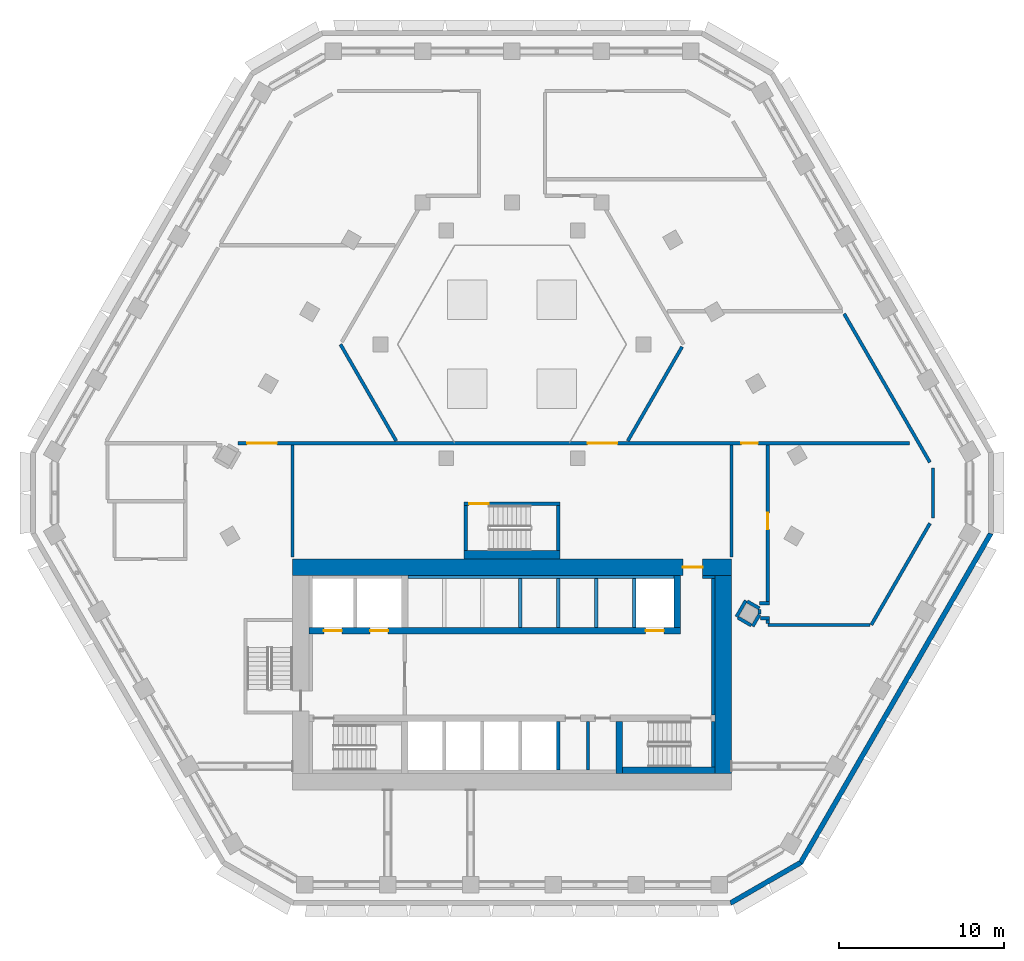
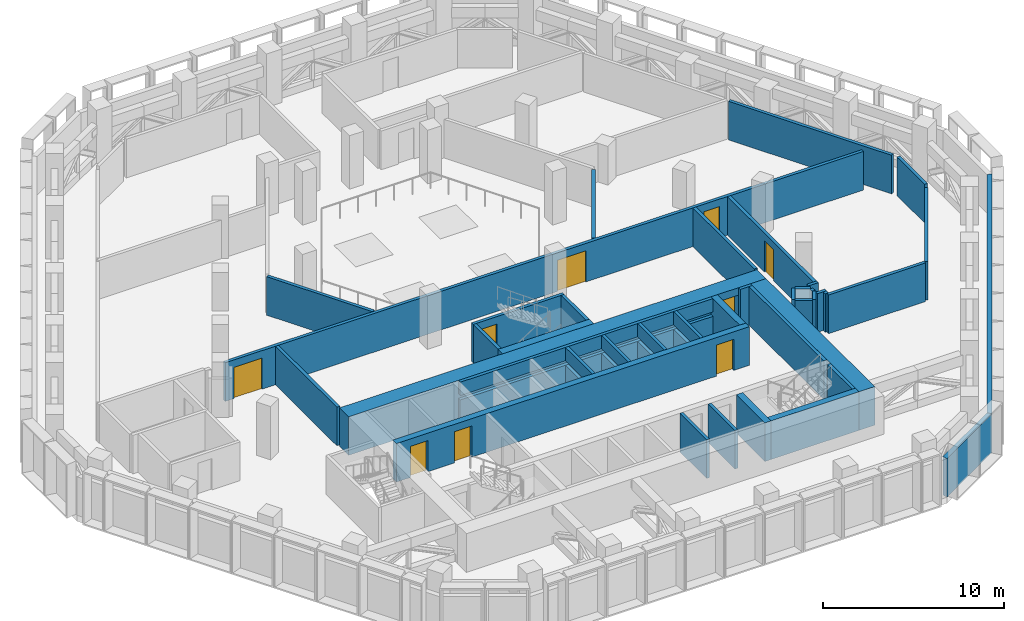
# One storey, part 13 of 23: 45 walls, 9 doors, 9 openings.
"""IFC4 building model written with IfcOpenShell, lengths in metres."""

from ifc_helpers import new_model, si_unit, direction, frame, frame_2d, origin, place, context, subcontext, project, spatial, polyline, rectangle, outline, extrude, material, layer, layer_set, type_object, element, fill, save


model = new_model("IFC4")

# Units and contexts
model_context = context("Model", 3, precision=1e-05, world=origin(), true_north=direction((0.0, 1.0)))
body_context = subcontext(model_context, "Body", "Model", "MODEL_VIEW")
ifc_project = project(units=[si_unit("LENGTHUNIT", "METRE"), si_unit("AREAUNIT", "SQUARE_METRE"), si_unit("VOLUMEUNIT", "CUBIC_METRE"), si_unit("PLANEANGLEUNIT", "RADIAN"), si_unit("MASSUNIT", "GRAM", prefix="KILO")], contexts=[model_context])

# Site, building, storey
site_placement = place(None, origin())
site = spatial("IfcSite", under=ifc_project, at=site_placement, CompositionType="ELEMENT")
building_placement = place(site_placement, origin())
building = spatial("IfcBuilding", under=site, at=building_placement, Name="Beryl Residences", CompositionType="ELEMENT")
storey_placement = place(building_placement, frame((0.0, 0.0, 108.0)))
storey = spatial("IfcBuildingStorey", under=building, at=storey_placement, Name="L33", CompositionType="ELEMENT", Elevation=108.0)

# Walls
ifc_material_1 = material(Name="Composite metal panel with mineral wool insulation")
ifc_layer_1 = layer(ifc_material_1, 0.300048828125)
ifc_layer_set_1 = layer_set([ifc_layer_1], Name="ES1 pale metal composite panel wall 300 mm")
wall_type_1 = type_object("IfcWallType", Name="ES1 pale metal composite panel wall 300 mm", PredefinedType="SOLIDWALL", material=ifc_layer_set_1)
wall_1_placement = place(storey_placement, frame((13.2041015625, -25.8701171875, 0.0), z_axis=(0.0, 0.0, 1.0), x_axis=(0.866010750942, 0.50002537861, 0.0)))
element("IfcWall", 1, at=wall_1_placement, inside=storey, type_object=wall_type_1, Name="ES1 external wall L33 S-SE", PredefinedType="SOLIDWALL", context=body_context, shape_type="SweptSolid", body=[
    extrude(outline(polyline([(0.0, -0.14990234375), (4.999755859375, -0.14990234375), (4.91943359375, 0.14990234375), (0.080322265625, 0.14990234375), (0.0, -0.14990234375)])), origin(), (0.0, 0.0, 1.0), 2.60009765625),
])
wall_2_placement = place(storey_placement, frame((17.47900390625, -23.425048828125, 0.0), z_axis=(0.0, 0.0, 1.0), x_axis=(0.500035407905, 0.866004960056, 0.0)))
element("IfcWall", 2, at=wall_2_placement, inside=storey, type_object=wall_type_1, Name="ES1 external wall L33 SE", PredefinedType="SOLIDWALL", context=body_context, shape_type="SweptSolid", body=[
    extrude(outline(polyline([(0.0, -0.14990234375), (23.094482421875, -0.14990234375), (23.01416015625, 0.14990234375), (0.080322265625, 0.14990234375), (0.0, -0.14990234375)])), origin(), (0.0, 0.0, 1.0), 2.60009765625),
])
ifc_material_2 = material(Name="Concrete masonry", Category="masonry")
ifc_layer_2 = layer(ifc_material_2, 0.199951171875)
ifc_layer_set_2 = layer_set([ifc_layer_2], Name="PT13 lobby wall 200 mm")
wall_type_2 = type_object("IfcWallType", Name="PT13 lobby wall 200 mm", PredefinedType="PARTITIONING", material=ifc_layer_set_2)
wall_3_placement = place(storey_placement, frame((11.550048828125, -6.10009765625, 0.0), z_axis=(0.0, 0.0, 1.0), x_axis=(1.0, 0.0, 0.0)))
element("IfcWall", 3, at=wall_3_placement, inside=storey, type_object=wall_type_2, Name="Lobby wall 26", PredefinedType="PARTITIONING", context=body_context, shape_type="SweptSolid", body=[
    extrude(rectangle(XDim=0.75, YDim=0.199951171875, at=frame_2d((0.375, 0.0))), origin(), (0.0, 0.0, 1.0), 2.60009765625),
])
wall_4_placement = place(storey_placement, frame((12.199951171875, -14.449951171875, 0.0), z_axis=(0.0, 0.0, 1.0), x_axis=(0.0, 1.0, 0.0)))
element("IfcWall", 4, at=wall_4_placement, inside=storey, type_object=wall_type_2, Name="Lobby wall 28", PredefinedType="PARTITIONING", context=body_context, shape_type="SweptSolid", body=[
    extrude(rectangle(XDim=8.25, YDim=0.199951171875, at=frame_2d((4.125, 0.0))), origin(), (0.0, 0.0, 1.0), 2.60009765625),
])
ifc_material_3 = material(Name="Double stud gypsum board wall")
ifc_layer_3 = layer(ifc_material_3, 0.199951171875)
ifc_layer_set_3 = layer_set([ifc_layer_3], Name="PT4 corridor wall 200 mm double stud")
wall_type_3 = type_object("IfcWallType", Name="PT4 corridor wall 200 mm double stud", PredefinedType="PARTITIONING", material=ifc_layer_set_3)
for number, where, z_axis, x_axis, name in (
    (5, (-13.300048828125, -4.8798828125, 0.0), (0.0, 0.0, 1.0), (0.0, 1.0, 0.0), "Wall PT4 L33 002"),
    (6, (13.300048828125, -4.8798828125, 0.0), (0.0, 0.0, 1.0), (0.0, 1.0, 0.0), "Wall PT4 L33 003"),
):
    element("IfcWall", number, at=place(storey_placement, frame(where, z_axis=z_axis, x_axis=x_axis)), inside=storey, type_object=wall_type_3, Name=name, PredefinedType="PARTITIONING", context=body_context, shape_type="SweptSolid", body=[
        extrude(rectangle(XDim=6.77978515625, YDim=0.199951171875, at=frame_2d((3.389892578125, 0.0))), origin(), (0.0, 0.0, 1.0), 2.60009765625),
    ])

# Wall, opening, door
ifc_material_4 = material(Name="Concrete C40/50", Category="concrete")
ifc_layer_4 = layer(ifc_material_4, 0.199951171875)
ifc_layer_set_4 = layer_set([ifc_layer_4], Name="PT5 stair enclosure wall 200 mm reinforced concrete C40/50")
wall_type_4 = type_object("IfcWallType", Name="PT5 stair enclosure wall 200 mm reinforced concrete C40/50", PredefinedType="SOLIDWALL", material=ifc_layer_set_4)
wall_5_placement = place(storey_placement, frame((-2.89990234375, -1.64990234375, 0.0), z_axis=(0.0, 0.0, 1.0), x_axis=(1.0, 0.0, 0.0)))
wall_5 = element("IfcWall", 7, at=wall_5_placement, inside=storey, type_object=wall_type_4, Name="Wall PT5 L33 001", PredefinedType="SOLIDWALL", context=body_context, shape_type="SweptSolid", body=[
    extrude(rectangle(XDim=5.7998046875, YDim=0.199951171875, at=frame_2d((2.89990234375, 0.0))), origin(), (0.0, 0.0, 1.0), 2.60009765625),
])
opening_1_placement = place(wall_5_placement, frame((0.300048828125, 0.0, 0.0)))
opening_1 = element("IfcOpeningElement", 8, at=opening_1_placement, cuts=wall_5, Name="Opening DS04", PredefinedType="OPENING", context=body_context, shape_type="SweptSolid", body=[
    extrude(rectangle(XDim=1.199951171875, YDim=2.10009765625, at=frame_2d((0.60009765625, 1.050048828125))), frame((0.0, 0.10986328125, 0.0), z_axis=(0.0, -1.0, 0.0), x_axis=(1.0, 0.0, 0.0)), (0.0, 0.0, 1.0), 0.219970703125),
])
ifc_material_5 = material(Name="Steel door leaf in steel frame", Category="steel")
door_type_1 = type_object("IfcDoorType", Name="D4 stair door 1200 x 2100 mm", OperationType="SINGLE_SWING_LEFT", PredefinedType="DOOR", material=ifc_material_5)
door_1_placement = place(opening_1_placement, origin())
door_1 = element("IfcDoor", 9, at=door_1_placement, inside=storey, type_object=door_type_1, Name="Door DS04 L33 001", OperationType="SINGLE_SWING_LEFT", OverallHeight=2.10009765625, OverallWidth=1.199951171875, PredefinedType="DOOR", context=body_context, shape_type="SweptSolid", body=[
    extrude(rectangle(XDim=1.199951171875, YDim=2.10009765625, at=frame_2d((0.60009765625, 1.050048828125))), frame((0.0, 0.02490234375, 0.0), z_axis=(0.0, -1.0, 0.0), x_axis=(1.0, 0.0, 0.0)), (0.0, 0.0, 1.0), 0.050048828125),
])
fill(opening_1, door_1)

# Walls
for number, where, z_axis, x_axis, name in (
    (10, (-2.800048828125, -4.5, 0.0), (0.0, 0.0, 1.0), (0.0, 1.0, 0.0), "Wall PT5 L33 002"),
    (11, (2.800048828125, -4.5, 0.0), (0.0, 0.0, 1.0), (0.0, 1.0, 0.0), "Wall PT5 L33 003"),
    (12, (12.199951171875, -17.60009765625, 0.0), (0.0, 0.0, 1.0), (0.0, 1.0, 0.0), "Stair wall 27"),
):
    element("IfcWall", number, at=place(storey_placement, frame(where, z_axis=z_axis, x_axis=x_axis)), inside=storey, type_object=wall_type_4, Name=name, PredefinedType="SOLIDWALL", context=body_context, shape_type="SweptSolid", body=[
        extrude(rectangle(XDim=2.75, YDim=0.199951171875, at=frame_2d((1.375, 0.0))), origin(), (0.0, 0.0, 1.0), 2.60009765625),
    ])
ifc_material_6 = material(Name="Concrete C40/50", Category="concrete")
ifc_layer_5 = layer(ifc_material_6, 0.39990234375)
ifc_layer_set_5 = layer_set([ifc_layer_5], Name="PT5-400 stair enclosure wall 400 mm")
wall_type_5 = type_object("IfcWallType", Name="PT5-400 stair enclosure wall 400 mm", PredefinedType="SOLIDWALL", material=ifc_layer_set_5)
wall_6_placement = place(storey_placement, frame((6.699951171875, -17.800048828125, 0.0), z_axis=(0.0, 0.0, 1.0), x_axis=(1.0, 0.0, 0.0)))
element("IfcWall", 13, at=wall_6_placement, inside=storey, type_object=wall_type_5, Name="Stair wall 24", PredefinedType="SOLIDWALL", context=body_context, shape_type="SweptSolid", body=[
    extrude(rectangle(XDim=5.60009765625, YDim=0.39990234375, at=frame_2d((2.800048828125, 0.0))), origin(), (0.0, 0.0, 1.0), 2.60009765625),
])
ifc_material_7 = material(Name="Concrete C40/50", Category="concrete")
ifc_layer_6 = layer(ifc_material_7, 0.5)
ifc_layer_set_6 = layer_set([ifc_layer_6], Name="PT5-500 stair enclosure wall 500 mm")
wall_type_6 = type_object("IfcWallType", Name="PT5-500 stair enclosure wall 500 mm", PredefinedType="SOLIDWALL", material=ifc_layer_set_6)
wall_7_placement = place(storey_placement, frame((-2.89990234375, -4.75, 0.0), z_axis=(0.0, 0.0, 1.0), x_axis=(1.0, 0.0, 0.0)))
element("IfcWall", 14, at=wall_7_placement, inside=storey, type_object=wall_type_6, Name="Wall PT5-500 L33 001", PredefinedType="SOLIDWALL", context=body_context, shape_type="SweptSolid", body=[
    extrude(rectangle(XDim=5.7998046875, YDim=0.5, at=frame_2d((2.89990234375, 0.0))), origin(), (0.0, 0.0, 1.0), 2.60009765625),
])
ifc_material_8 = material(Name="Concrete C40/50", Category="concrete")
ifc_layer_7 = layer(ifc_material_8, 0.199951171875)
ifc_layer_set_7 = layer_set([ifc_layer_7], Name="PT6 lift shaft wall 200 mm reinforced concrete C40/50")
wall_type_7 = type_object("IfcWallType", Name="PT6 lift shaft wall 200 mm reinforced concrete C40/50", PredefinedType="SOLIDWALL", material=ifc_layer_set_7)
wall_8_placement = place(storey_placement, frame((-6.300048828125, -6.10009765625, 1.699951171875), z_axis=(0.0, 0.0, 1.0), x_axis=(1.0, 0.0, 0.0)))
element("IfcWall", 15, at=wall_8_placement, inside=storey, type_object=wall_type_7, Name="Lift shaft wall 13", PredefinedType="SOLIDWALL", context=body_context, shape_type="SweptSolid", body=[
    extrude(rectangle(XDim=16.10009765625, YDim=0.199951171875, at=frame_2d((8.050048828125, 0.0))), origin(), (0.0, 0.0, 1.0), 0.900146484375),
])
wall_9_placement = place(storey_placement, frame((0.5, -9.14990234375, 1.699951171875), z_axis=(0.0, 0.0, 1.0), x_axis=(0.0, 1.0, 0.0)))
element("IfcWall", 16, at=wall_9_placement, inside=storey, type_object=wall_type_7, Name="Lift shaft wall 19", PredefinedType="SOLIDWALL", context=body_context, shape_type="SweptSolid", body=[
    extrude(rectangle(XDim=2.949951171875, YDim=0.199951171875, at=frame_2d((1.47509765625, 0.0))), origin(), (0.0, 0.0, 1.0), 0.900146484375),
])
wall_10_placement = place(storey_placement, frame((2.800048828125, -17.800048828125, 0.0), z_axis=(0.0, 0.0, 1.0), x_axis=(0.0, 1.0, 0.0)))
element("IfcWall", 17, at=wall_10_placement, inside=storey, type_object=wall_type_7, Name="Lift shaft wall 20", PredefinedType="SOLIDWALL", context=body_context, shape_type="SweptSolid", body=[
    extrude(rectangle(XDim=2.949951171875, YDim=0.199951171875, at=frame_2d((1.47509765625, 0.0))), origin(), (0.0, 0.0, 1.0), 2.60009765625),
])
for number, where, z_axis, x_axis, name in (
    (18, (2.800048828125, -9.14990234375, 1.699951171875), (0.0, 0.0, 1.0), (0.0, 1.0, 0.0), "Lift shaft wall 21"),
    (19, (5.10009765625, -9.14990234375, 1.699951171875), (0.0, 0.0, 1.0), (0.0, 1.0, 0.0), "Lift shaft wall 23"),
    (20, (7.39990234375, -9.14990234375, 1.699951171875), (0.0, 0.0, 1.0), (0.0, 1.0, 0.0), "Lift shaft wall 25"),
):
    element("IfcWall", number, at=place(storey_placement, frame(where, z_axis=z_axis, x_axis=x_axis)), inside=storey, type_object=wall_type_7, Name=name, PredefinedType="SOLIDWALL", context=body_context, shape_type="SweptSolid", body=[
        extrude(rectangle(XDim=2.949951171875, YDim=0.199951171875, at=frame_2d((1.47509765625, 0.0))), origin(), (0.0, 0.0, 1.0), 0.900146484375),
    ])
ifc_material_9 = material(Name="Concrete C40/50", Category="concrete")
ifc_layer_8 = layer(ifc_material_9, 0.199951171875)
ifc_layer_set_8 = layer_set([ifc_layer_8], Name="PT6S lift shaft wall 200 mm reinforced concrete C40/50 (load-bearing)")
wall_type_8 = type_object("IfcWallType", Name="PT6S lift shaft wall 200 mm reinforced concrete C40/50 (load-bearing)", PredefinedType="SOLIDWALL", material=ifc_layer_set_8)
wall_11_placement = place(storey_placement, frame((-6.300048828125, -6.10009765625, 0.0), z_axis=(0.0, 0.0, 1.0), x_axis=(1.0, 0.0, 0.0)))
element("IfcWall", 21, at=wall_11_placement, inside=storey, type_object=wall_type_8, Name="Lift shaft wall 13", PredefinedType="SOLIDWALL", context=body_context, shape_type="SweptSolid", body=[
    extrude(rectangle(XDim=16.10009765625, YDim=0.199951171875, at=frame_2d((8.050048828125, 0.0))), origin(), (0.0, 0.0, 1.0), 1.39990234375),
])
for number, where, z_axis, x_axis, name in (
    (22, (0.5, -9.14990234375, 0.0), (0.0, 0.0, 1.0), (0.0, 1.0, 0.0), "Lift shaft wall 19"),
    (23, (2.800048828125, -9.14990234375, 0.0), (0.0, 0.0, 1.0), (0.0, 1.0, 0.0), "Lift shaft wall 21"),
    (24, (5.10009765625, -9.14990234375, 0.0), (0.0, 0.0, 1.0), (0.0, 1.0, 0.0), "Lift shaft wall 23"),
    (25, (7.39990234375, -9.14990234375, 0.0), (0.0, 0.0, 1.0), (0.0, 1.0, 0.0), "Lift shaft wall 25"),
):
    element("IfcWall", number, at=place(storey_placement, frame(where, z_axis=z_axis, x_axis=x_axis)), inside=storey, type_object=wall_type_8, Name=name, PredefinedType="SOLIDWALL", context=body_context, shape_type="SweptSolid", body=[
        extrude(rectangle(XDim=2.949951171875, YDim=0.199951171875, at=frame_2d((1.47509765625, 0.0))), origin(), (0.0, 0.0, 1.0), 1.39990234375),
    ])
ifc_material_10 = material(Name="Concrete masonry", Category="masonry")
ifc_layer_9 = layer(ifc_material_10, 0.199951171875)
ifc_layer_set_9 = layer_set([ifc_layer_9], Name="PT8-200 service room wall 200 mm")
wall_type_9 = type_object("IfcWallType", Name="PT8-200 service room wall 200 mm", PredefinedType="PARTITIONING", material=ifc_layer_set_9)
wall_12_placement = place(storey_placement, frame((4.60009765625, -17.800048828125, 0.0), z_axis=(0.0, 0.0, 1.0), x_axis=(0.0, 1.0, 0.0)))
element("IfcWall", 26, at=wall_12_placement, inside=storey, type_object=wall_type_9, Name="Core room wall 22", PredefinedType="PARTITIONING", context=body_context, shape_type="SweptSolid", body=[
    extrude(rectangle(XDim=2.949951171875, YDim=0.199951171875, at=frame_2d((1.47509765625, 0.0))), origin(), (0.0, 0.0, 1.0), 2.60009765625),
])
ifc_material_11 = material(Name="Concrete C40/50", Category="concrete")
ifc_layer_10 = layer(ifc_material_11, 0.199951171875)
ifc_layer_set_10 = layer_set([ifc_layer_10], Name="PT9-200 plant room wall 200 mm")
wall_type_10 = type_object("IfcWallType", Name="PT9-200 plant room wall 200 mm", PredefinedType="SOLIDWALL", material=ifc_layer_set_10)
wall_13_placement = place(storey_placement, frame((15.5, -9.0, 0.0), z_axis=(0.0, 0.0, 1.0), x_axis=(1.0, 0.0, 0.0)))
element("IfcWall", 27, at=wall_13_placement, inside=storey, type_object=wall_type_10, Name="Wall PT9-200 L33 001", PredefinedType="SOLIDWALL", context=body_context, shape_type="SweptSolid", body=[
    extrude(rectangle(XDim=6.18603515625, YDim=0.199951171875, at=frame_2d((3.093017578125, 0.0))), origin(), (0.0, 0.0, 1.0), 2.60009765625),
])
wall_14_placement = place(storey_placement, frame((15.041015625, -8.5849609375, 0.0), z_axis=(0.0, 0.0, 1.0), x_axis=(1.0, 0.0, 0.0)))
element("IfcWall", 28, at=wall_14_placement, inside=storey, type_object=wall_type_10, Name="Wall PT9-200 L33 002", PredefinedType="SOLIDWALL", context=body_context, shape_type="SweptSolid", body=[
    extrude(rectangle(XDim=0.55908203125, YDim=0.199951171875, at=frame_2d((0.279541015625, 0.0))), origin(), (0.0, 0.0, 1.0), 2.60009765625),
])
wall_15_placement = place(storey_placement, frame((14.990966796875, -7.68505859375, 0.0), z_axis=(0.0, 0.0, 1.0), x_axis=(1.0, 0.0, 0.0)))
element("IfcWall", 29, at=wall_15_placement, inside=storey, type_object=wall_type_10, Name="Wall PT9-200 L33 003", PredefinedType="SOLIDWALL", context=body_context, shape_type="SweptSolid", body=[
    extrude(rectangle(XDim=0.609130859375, YDim=0.199951171875, at=frame_2d((0.3046875, 0.0))), origin(), (0.0, 0.0, 1.0), 2.60009765625),
])

# Wall, openings, doors
wall_16_placement = place(storey_placement, frame((-16.592041015625, 2.0, 0.0), z_axis=(0.0, 0.0, 1.0), x_axis=(1.0, 0.0, 0.0)))
wall_16 = element("IfcWall", 30, at=wall_16_placement, inside=storey, type_object=wall_type_10, Name="Wall PT9-200 L33 006", PredefinedType="SOLIDWALL", context=body_context, shape_type="SweptSolid", body=[
    extrude(rectangle(XDim=40.676025390625, YDim=0.199951171875, at=frame_2d((20.337890625, 0.0))), origin(), (0.0, 0.0, 1.0), 2.60009765625),
])
opening_2_placement = place(wall_16_placement, frame((0.5458984375, 0.0, 0.0)))
opening_2 = element("IfcOpeningElement", 31, at=opening_2_placement, cuts=wall_16, Name="Opening L33-07", PredefinedType="OPENING", context=body_context, shape_type="SweptSolid", body=[
    extrude(rectangle(XDim=1.800048828125, YDim=2.10009765625, at=frame_2d((0.89990234375, 1.050048828125))), frame((0.0, 0.10986328125, 0.0), z_axis=(0.0, -1.0, 0.0), x_axis=(1.0, 0.0, 0.0)), (0.0, 0.0, 1.0), 0.219970703125),
])
opening_3_placement = place(wall_16_placement, frame((30.491943359375, 0.0, 0.0)))
opening_3 = element("IfcOpeningElement", 32, at=opening_3_placement, cuts=wall_16, Name="Opening L33-08", PredefinedType="OPENING", context=body_context, shape_type="SweptSolid", body=[
    extrude(rectangle(XDim=1.0, YDim=2.10009765625, at=frame_2d((0.5, 1.050048828125))), frame((0.0, 0.10986328125, 0.0), z_axis=(0.0, -1.0, 0.0), x_axis=(1.0, 0.0, 0.0)), (0.0, 0.0, 1.0), 0.219970703125),
])
opening_4_placement = place(wall_16_placement, frame((21.178955078125, 0.0, 0.0)))
opening_4 = element("IfcOpeningElement", 33, at=opening_4_placement, cuts=wall_16, Name="Opening L33-09", PredefinedType="OPENING", context=body_context, shape_type="SweptSolid", body=[
    extrude(rectangle(XDim=1.800048828125, YDim=2.10009765625, at=frame_2d((0.89990234375, 1.050048828125))), frame((0.0, 0.10986328125, 0.0), z_axis=(0.0, -1.0, 0.0), x_axis=(1.0, 0.0, 0.0)), (0.0, 0.0, 1.0), 0.219970703125),
])
ifc_material_12 = material(Name="Steel door leaf in steel frame", Category="steel")
door_type_2 = type_object("IfcDoorType", Name="D16 plant room door 1000 x 2100 mm", OperationType="SINGLE_SWING_LEFT", PredefinedType="DOOR", material=ifc_material_12)
door_2_placement = place(opening_3_placement, origin())
door_2 = element("IfcDoor", 34, at=door_2_placement, inside=storey, type_object=door_type_2, Name="Door L33-08 L33 001", OperationType="SINGLE_SWING_RIGHT", OverallHeight=2.10009765625, OverallWidth=1.0, PredefinedType="DOOR", context=body_context, shape_type="SweptSolid", body=[
    extrude(rectangle(XDim=1.0, YDim=2.10009765625, at=frame_2d((0.5, 1.050048828125))), frame((0.0, 0.02490234375, 0.0), z_axis=(0.0, -1.0, 0.0), x_axis=(1.0, 0.0, 0.0)), (0.0, 0.0, 1.0), 0.050048828125),
])
fill(opening_3, door_2)
ifc_material_13 = material(Name="Timber door leaf", Category="wood")
door_type_3 = type_object("IfcDoorType", Name="D20 corridor door 1800 x 2100 mm", OperationType="DOUBLE_DOOR_SINGLE_SWING", PredefinedType="DOOR", material=ifc_material_13)
door_3_placement = place(opening_4_placement, origin())
door_3 = element("IfcDoor", 35, at=door_3_placement, inside=storey, type_object=door_type_3, Name="Door L33-09 L33 001", OperationType="DOUBLE_DOOR_SINGLE_SWING", OverallHeight=2.10009765625, OverallWidth=1.800048828125, PredefinedType="DOOR", context=body_context, shape_type="SweptSolid", body=[
    extrude(rectangle(XDim=1.800048828125, YDim=2.10009765625, at=frame_2d((0.89990234375, 1.050048828125))), frame((0.0, 0.02490234375, 0.0), z_axis=(0.0, -1.0, 0.0), x_axis=(1.0, 0.0, 0.0)), (0.0, 0.0, 1.0), 0.050048828125),
])
fill(opening_4, door_3)
ifc_material_14 = material(Name="Steel door leaf in steel frame", Category="steel")
door_type_4 = type_object("IfcDoorType", Name="D21 plant room door 1800 x 2100 mm", OperationType="DOUBLE_DOOR_SINGLE_SWING", PredefinedType="DOOR", material=ifc_material_14)
door_4_placement = place(opening_2_placement, origin())
door_4 = element("IfcDoor", 36, at=door_4_placement, inside=storey, type_object=door_type_4, Name="Door L33-07 L33 001", OperationType="DOUBLE_DOOR_SINGLE_SWING", OverallHeight=2.10009765625, OverallWidth=1.800048828125, PredefinedType="DOOR", context=body_context, shape_type="SweptSolid", body=[
    extrude(rectangle(XDim=1.800048828125, YDim=2.10009765625, at=frame_2d((0.89990234375, 1.050048828125))), frame((0.0, 0.02490234375, 0.0), z_axis=(0.0, -1.0, 0.0), x_axis=(1.0, 0.0, 0.0)), (0.0, 0.0, 1.0), 0.050048828125),
])
fill(opening_2, door_4)

# Walls
wall_17_placement = place(storey_placement, frame((14.990966796875, -8.324951171875, 0.0), z_axis=(0.0, 0.0, 1.0), x_axis=(0.0, 1.0, 0.0)))
element("IfcWall", 37, at=wall_17_placement, inside=storey, type_object=wall_type_10, Name="Wall PT9-200 L33 015", PredefinedType="SOLIDWALL", context=body_context, shape_type="SweptSolid", body=[
    extrude(rectangle(XDim=0.25, YDim=0.199951171875, at=frame_2d((0.125, 0.0))), origin(), (0.0, 0.0, 1.0), 2.60009765625),
])
wall_18_placement = place(storey_placement, frame((15.5, -8.89990234375, 0.0), z_axis=(0.0, 0.0, 1.0), x_axis=(0.0, 1.0, 0.0)))
element("IfcWall", 38, at=wall_18_placement, inside=storey, type_object=wall_type_10, Name="Wall PT9-200 L33 016", PredefinedType="SOLIDWALL", context=body_context, shape_type="SweptSolid", body=[
    extrude(rectangle(XDim=0.21484375, YDim=0.199951171875, at=frame_2d((0.107421875, 0.0))), origin(), (0.0, 0.0, 1.0), 2.60009765625),
])

# Wall, opening, door
wall_19_placement = place(storey_placement, frame((15.5, -7.5849609375, 0.0), z_axis=(0.0, 0.0, 1.0), x_axis=(0.0, 1.0, 0.0)))
wall_19 = element("IfcWall", 39, at=wall_19_placement, inside=storey, type_object=wall_type_10, Name="Wall PT9-200 L33 017", PredefinedType="SOLIDWALL", context=body_context, shape_type="SweptSolid", body=[
    extrude(rectangle(XDim=9.48486328125, YDim=0.199951171875, at=frame_2d((4.742431640625, 0.0))), origin(), (0.0, 0.0, 1.0), 2.60009765625),
])
opening_5_placement = place(wall_19_placement, frame((5.37890625, 0.0, 0.0), z_axis=(0.0, 0.0, 1.0), x_axis=(-1.0, 0.0, 0.0)))
opening_5 = element("IfcOpeningElement", 40, at=opening_5_placement, cuts=wall_19, Name="Opening L33-06", PredefinedType="OPENING", context=body_context, shape_type="SweptSolid", body=[
    extrude(rectangle(XDim=1.0, YDim=2.10009765625, at=frame_2d((0.5, 1.050048828125))), frame((0.0, 0.10986328125, 0.0), z_axis=(0.0, -1.0, 0.0), x_axis=(1.0, 0.0, 0.0)), (0.0, 0.0, 1.0), 0.219970703125),
])
door_5_placement = place(opening_5_placement, origin())
door_5 = element("IfcDoor", 41, at=door_5_placement, inside=storey, type_object=door_type_2, Name="Door L33-06 L33 001", OperationType="SINGLE_SWING_LEFT", OverallHeight=2.10009765625, OverallWidth=1.0, PredefinedType="DOOR", context=body_context, shape_type="SweptSolid", body=[
    extrude(rectangle(XDim=1.0, YDim=2.10009765625, at=frame_2d((0.5, 1.050048828125))), frame((0.0, 0.02490234375, 0.0), z_axis=(0.0, -1.0, 0.0), x_axis=(1.0, 0.0, 0.0)), (0.0, 0.0, 1.0), 0.050048828125),
])
fill(opening_5, door_5)

# Walls
wall_20_placement = place(storey_placement, frame((25.507080078125, -2.52197265625, 0.0), z_axis=(0.0, 0.0, 1.0), x_axis=(0.0, 1.0, 0.0)))
element("IfcWall", 42, at=wall_20_placement, inside=storey, type_object=wall_type_10, Name="Wall PT9-200 L33 018", PredefinedType="SOLIDWALL", context=body_context, shape_type="SweptSolid", body=[
    extrude(rectangle(XDim=3.0439453125, YDim=0.199951171875, at=frame_2d((1.52197265625, 0.0))), origin(), (0.0, 0.0, 1.0), 2.60009765625),
])
wall_21_placement = place(storey_placement, frame((13.68408203125, -8.55908203125, 0.0), z_axis=(0.0, 0.0, 1.0), x_axis=(0.866012558475, -0.500022248069, 0.0)))
element("IfcWall", 43, at=wall_21_placement, inside=storey, type_object=wall_type_10, Name="Wall PT9-200 L33 019", PredefinedType="SOLIDWALL", context=body_context, shape_type="SweptSolid", body=[
    extrude(rectangle(XDim=0.93994140625, YDim=0.199951171875, at=frame_2d((0.469970703125, 0.0))), origin(), (0.0, 0.0, 1.0), 2.60009765625),
])
wall_22_placement = place(storey_placement, frame((14.25390625, -7.571044921875, 0.0), z_axis=(0.0, 0.0, 1.0), x_axis=(0.865779484054, -0.500425703768, 0.0)))
element("IfcWall", 44, at=wall_22_placement, inside=storey, type_object=wall_type_10, Name="Wall PT9-200 L33 022", PredefinedType="SOLIDWALL", context=body_context, shape_type="SweptSolid", body=[
    extrude(rectangle(XDim=0.851318359375, YDim=0.199951171875, at=frame_2d((0.42578125, 0.0))), origin(), (0.0, 0.0, 1.0), 2.60009765625),
])
wall_23_placement = place(storey_placement, frame((-10.39208984375, 8.0, 0.0), z_axis=(0.0, 0.0, 1.0), x_axis=(0.500051862572, -0.865995458844, 0.0)))
element("IfcWall", 45, at=wall_23_placement, inside=storey, type_object=wall_type_10, Name="Wall PT9-200 L33 024", PredefinedType="SOLIDWALL", context=body_context, shape_type="SweptSolid", body=[
    extrude(rectangle(XDim=6.757568359375, YDim=0.199951171875, at=frame_2d((3.37890625, 0.0))), origin(), (0.0, 0.0, 1.0), 2.60009765625),
])
wall_24_placement = place(storey_placement, frame((20.12109375, 9.85009765625, 0.0), z_axis=(0.0, 0.0, 1.0), x_axis=(0.500015313995, -0.866016562065, 0.0)))
element("IfcWall", 46, at=wall_24_placement, inside=storey, type_object=wall_type_10, Name="Wall PT9-200 L33 027", PredefinedType="SOLIDWALL", context=body_context, shape_type="SweptSolid", body=[
    extrude(rectangle(XDim=10.391357421875, YDim=0.199951171875, at=frame_2d((5.19580078125, 0.0))), origin(), (0.0, 0.0, 1.0), 2.60009765625),
])
wall_25_placement = place(storey_placement, frame((21.76611328125, -9.0, 0.0), z_axis=(0.0, 0.0, 1.0), x_axis=(0.500036643462, 0.866004246638, 0.0)))
element("IfcWall", 47, at=wall_25_placement, inside=storey, type_object=wall_type_10, Name="Wall PT9-200 L33 029", PredefinedType="SOLIDWALL", context=body_context, shape_type="SweptSolid", body=[
    extrude(rectangle(XDim=7.107421875, YDim=0.199951171875, at=frame_2d((3.5537109375, 0.0))), origin(), (0.0, 0.0, 1.0), 2.60009765625),
])
wall_26_placement = place(storey_placement, frame((7.012939453125, 2.14794921875, 0.0), z_axis=(0.0, 0.0, 1.0), x_axis=(0.499983511822, 0.866034923029, 0.0)))
element("IfcWall", 48, at=wall_26_placement, inside=storey, type_object=wall_type_10, Name="Wall PT9-200 L33 030", PredefinedType="SOLIDWALL", context=body_context, shape_type="SweptSolid", body=[
    extrude(rectangle(XDim=6.584228515625, YDim=0.199951171875, at=frame_2d((3.2919921875, 0.0))), origin(), (0.0, 0.0, 1.0), 2.60009765625),
])
wall_27_placement = place(storey_placement, frame((13.596923828125, -8.509033203125, 0.0), z_axis=(0.0, 0.0, 1.0), x_axis=(0.499753333889, 0.8661677697, 0.0)))
element("IfcWall", 49, at=wall_27_placement, inside=storey, type_object=wall_type_10, Name="Wall PT9-200 L33 035", PredefinedType="SOLIDWALL", context=body_context, shape_type="SweptSolid", body=[
    extrude(rectangle(XDim=1.140625, YDim=0.199951171875, at=frame_2d((0.5703125, 0.0))), origin(), (0.0, 0.0, 1.0), 2.60009765625),
])
wall_28_placement = place(storey_placement, frame((14.5849609375, -9.0791015625, 0.0), z_axis=(0.0, 0.0, 1.0), x_axis=(0.49953174516, 0.866295582106, 0.0)))
element("IfcWall", 50, at=wall_28_placement, inside=storey, type_object=wall_type_10, Name="Wall PT9-200 L33 036", PredefinedType="SOLIDWALL", context=body_context, shape_type="SweptSolid", body=[
    extrude(rectangle(XDim=0.812744140625, YDim=0.199951171875, at=frame_2d((0.40625, 0.0))), origin(), (0.0, 0.0, 1.0), 2.60009765625),
])

# Wall, opening, door
ifc_material_15 = material(Name="Concrete C70/85", Category="concrete")
ifc_layer_11 = layer(ifc_material_15, 1.0)
ifc_layer_set_11 = layer_set([ifc_layer_11], Name="SW2 core outer wall 1000 mm C70/85")
wall_type_11 = type_object("IfcWallType", Name="SW2 core outer wall 1000 mm C70/85", PredefinedType="SHEAR", material=ifc_layer_set_11)
wall_29_placement = place(storey_placement, frame((-13.300048828125, -5.5, 0.0), z_axis=(0.0, 0.0, 1.0), x_axis=(1.0, 0.0, 0.0)))
wall_29 = element("IfcWall", 51, at=wall_29_placement, inside=storey, type_object=wall_type_11, Name="Core wall N L33", PredefinedType="SHEAR", context=body_context, shape_type="SweptSolid", body=[
    extrude(rectangle(XDim=26.60009765625, YDim=1.0, at=frame_2d((13.300048828125, 0.0))), origin(), (0.0, 0.0, 1.0), 2.60009765625),
])
opening_6_placement = place(wall_29_placement, frame((23.64990234375, 0.0, 0.0)))
opening_6 = element("IfcOpeningElement", 52, at=opening_6_placement, cuts=wall_29, Name="Opening FD-NORTH", PredefinedType="OPENING", context=body_context, shape_type="SweptSolid", body=[
    extrude(rectangle(XDim=1.199951171875, YDim=2.10009765625, at=frame_2d((0.60009765625, 1.050048828125))), frame((0.0, 0.510009765625, 0.0), z_axis=(0.0, -1.0, 0.0), x_axis=(1.0, 0.0, 0.0)), (0.0, 0.0, 1.0), 1.02001953125),
])
ifc_material_16 = material(Name="Steel door leaf in steel frame", Category="steel")
door_type_5 = type_object("IfcDoorType", Name="D22 lobby door 1200 x 2100 mm", OperationType="DOUBLE_DOOR_SINGLE_SWING", PredefinedType="DOOR", material=ifc_material_16)
door_6_placement = place(opening_6_placement, origin())
door_6 = element("IfcDoor", 53, at=door_6_placement, inside=storey, type_object=door_type_5, Name="Door FD-NORTH L33 001", OperationType="DOUBLE_DOOR_SINGLE_SWING", OverallHeight=2.10009765625, OverallWidth=1.199951171875, PredefinedType="DOOR", context=body_context, shape_type="SweptSolid", body=[
    extrude(rectangle(XDim=1.199951171875, YDim=2.10009765625, at=frame_2d((0.60009765625, 1.050048828125))), frame((0.0, 0.02490234375, 0.0), z_axis=(0.0, -1.0, 0.0), x_axis=(1.0, 0.0, 0.0)), (0.0, 0.0, 1.0), 0.050048828125),
])
fill(opening_6, door_6)

# Wall
wall_30_placement = place(storey_placement, frame((12.800048828125, -18.0, 0.0), z_axis=(0.0, 0.0, 1.0), x_axis=(0.0, 1.0, 0.0)))
element("IfcWall", 54, at=wall_30_placement, inside=storey, type_object=wall_type_11, Name="Core wall E L33", PredefinedType="SHEAR", context=body_context, shape_type="SweptSolid", body=[
    extrude(rectangle(XDim=12.0, YDim=1.0, at=frame_2d((6.0, 0.0))), origin(), (0.0, 0.0, 1.0), 2.60009765625),
])

# Wall, openings, doors
ifc_material_17 = material(Name="Concrete C70/85", Category="concrete")
ifc_layer_12 = layer(ifc_material_17, 0.39990234375)
ifc_layer_set_12 = layer_set([ifc_layer_12], Name="SW7 core internal wall 400 mm C70/85")
wall_type_12 = type_object("IfcWallType", Name="SW7 core internal wall 400 mm C70/85", PredefinedType="SHEAR", material=ifc_layer_set_12)
wall_31_placement = place(storey_placement, frame((-12.300048828125, -9.35009765625, 0.0), z_axis=(0.0, 0.0, 1.0), x_axis=(1.0, 0.0, 0.0)))
wall_31 = element("IfcWall", 55, at=wall_31_placement, inside=storey, type_object=wall_type_12, Name="Core wall SP2 L33", PredefinedType="SHEAR", context=body_context, shape_type="SweptSolid", body=[
    extrude(rectangle(XDim=22.5, YDim=0.39990234375, at=frame_2d((11.25, 0.0))), origin(), (0.0, 0.0, 1.0), 2.60009765625),
])
opening_7_placement = place(wall_31_placement, frame((0.89990234375, 0.0, 0.0)))
opening_7 = element("IfcOpeningElement", 56, at=opening_7_placement, cuts=wall_31, Name="Opening LD-FF1", PredefinedType="OPENING", context=body_context, shape_type="SweptSolid", body=[
    extrude(rectangle(XDim=1.10009765625, YDim=2.10009765625, at=frame_2d((0.550048828125, 1.050048828125))), frame((0.0, 0.2099609375, 0.0), z_axis=(0.0, -1.0, 0.0), x_axis=(1.0, 0.0, 0.0)), (0.0, 0.0, 1.0), 0.419921875),
])
opening_8_placement = place(wall_31_placement, frame((3.699951171875, 0.0, 0.0)))
opening_8 = element("IfcOpeningElement", 57, at=opening_8_placement, cuts=wall_31, Name="Opening LD-FF2", PredefinedType="OPENING", context=body_context, shape_type="SweptSolid", body=[
    extrude(rectangle(XDim=1.10009765625, YDim=2.10009765625, at=frame_2d((0.550048828125, 1.050048828125))), frame((0.0, 0.2099609375, 0.0), z_axis=(0.0, -1.0, 0.0), x_axis=(1.0, 0.0, 0.0)), (0.0, 0.0, 1.0), 0.419921875),
])
opening_9_placement = place(wall_31_placement, frame((20.39990234375, 0.0, 0.0)))
opening_9 = element("IfcOpeningElement", 58, at=opening_9_placement, cuts=wall_31, Name="Opening LD-SL1", PredefinedType="OPENING", context=body_context, shape_type="SweptSolid", body=[
    extrude(rectangle(XDim=1.10009765625, YDim=2.10009765625, at=frame_2d((0.550048828125, 1.050048828125))), frame((0.0, 0.2099609375, 0.0), z_axis=(0.0, -1.0, 0.0), x_axis=(1.0, 0.0, 0.0)), (0.0, 0.0, 1.0), 0.419921875),
])
ifc_material_18 = material(Name="Stainless steel sliding door", Category="steel")
door_type_6 = type_object("IfcDoorType", Name="LD1 lift landing door 1100 x 2100 mm", OperationType="DOUBLE_DOOR_SLIDING", PredefinedType="DOOR", material=ifc_material_18)
door_7_placement = place(opening_7_placement, origin())
door_7 = element("IfcDoor", 59, at=door_7_placement, inside=storey, type_object=door_type_6, Name="Lift landing door FF1", OperationType="DOUBLE_DOOR_SLIDING", OverallHeight=2.10009765625, OverallWidth=1.10009765625, PredefinedType="DOOR", context=body_context, shape_type="SweptSolid", body=[
    extrude(rectangle(XDim=1.10009765625, YDim=2.10009765625, at=frame_2d((0.550048828125, 1.050048828125))), frame((0.0, 0.02490234375, 0.0), z_axis=(0.0, -1.0, 0.0), x_axis=(1.0, 0.0, 0.0)), (0.0, 0.0, 1.0), 0.050048828125),
])
fill(opening_7, door_7)
door_8_placement = place(opening_8_placement, origin())
door_8 = element("IfcDoor", 60, at=door_8_placement, inside=storey, type_object=door_type_6, Name="Lift landing door FF2", OperationType="DOUBLE_DOOR_SLIDING", OverallHeight=2.10009765625, OverallWidth=1.10009765625, PredefinedType="DOOR", context=body_context, shape_type="SweptSolid", body=[
    extrude(rectangle(XDim=1.10009765625, YDim=2.10009765625, at=frame_2d((0.550048828125, 1.050048828125))), frame((0.0, 0.02490234375, 0.0), z_axis=(0.0, -1.0, 0.0), x_axis=(1.0, 0.0, 0.0)), (0.0, 0.0, 1.0), 0.050048828125),
])
fill(opening_8, door_8)
door_9_placement = place(opening_9_placement, origin())
door_9 = element("IfcDoor", 61, at=door_9_placement, inside=storey, type_object=door_type_6, Name="Lift landing door SL1", OperationType="DOUBLE_DOOR_SLIDING", OverallHeight=2.10009765625, OverallWidth=1.10009765625, PredefinedType="DOOR", context=body_context, shape_type="SweptSolid", body=[
    extrude(rectangle(XDim=1.10009765625, YDim=2.10009765625, at=frame_2d((0.550048828125, 1.050048828125))), frame((0.0, 0.02490234375, 0.0), z_axis=(0.0, -1.0, 0.0), x_axis=(1.0, 0.0, 0.0)), (0.0, 0.0, 1.0), 0.050048828125),
])
fill(opening_9, door_9)

# Walls
for number, where, z_axis, x_axis, name in (
    (62, (6.5, -18.0, 0.0), (0.0, 0.0, 1.0), (0.0, 1.0, 0.0), "Core wall XS2 L33"),
    (63, (10.0, -9.14990234375, 0.0), (0.0, 0.0, 1.0), (0.0, 1.0, 0.0), "Core wall XN2 L33"),
):
    element("IfcWall", number, at=place(storey_placement, frame(where, z_axis=z_axis, x_axis=x_axis)), inside=storey, type_object=wall_type_12, Name=name, PredefinedType="SHEAR", context=body_context, shape_type="SweptSolid", body=[
        extrude(rectangle(XDim=3.14990234375, YDim=0.39990234375, at=frame_2d((1.574951171875, 0.0))), origin(), (0.0, 0.0, 1.0), 2.60009765625),
    ])

save(model, "model.ifc")
